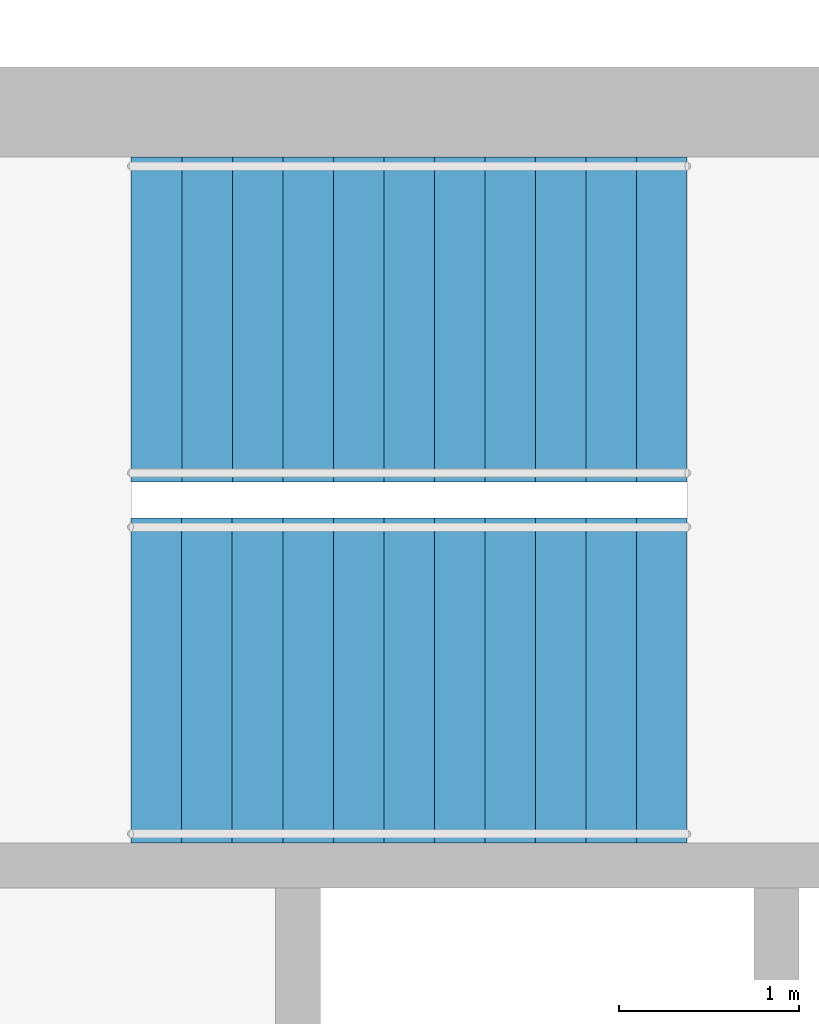
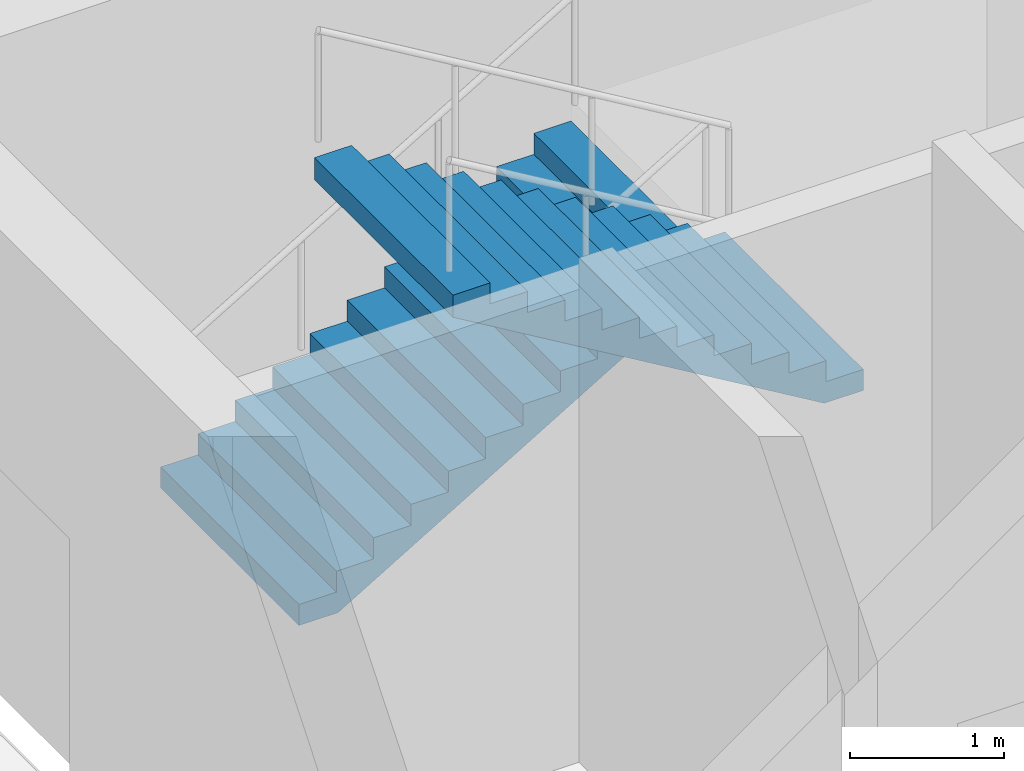
# One storey, part 8 of 11: 2 stair flights, 1 element without a shape of its own.
"""IFC4 building model written with IfcOpenShell, lengths in metres."""

from ifc_helpers import new_model, si_unit, direction, frame, origin, place, context, subcontext, project, spatial, polyline, outline, extrude, material, type_object, element, aggregate, save


model = new_model("IFC4")

# Units and contexts
model_context = context("Model", 3, precision=1e-05, world=origin(), true_north=direction((0.0, 1.0)))
body_context = subcontext(model_context, "Body", "Model", "MODEL_VIEW")
ifc_project = project(units=[si_unit("LENGTHUNIT", "METRE"), si_unit("AREAUNIT", "SQUARE_METRE"), si_unit("VOLUMEUNIT", "CUBIC_METRE"), si_unit("PLANEANGLEUNIT", "RADIAN"), si_unit("MASSUNIT", "GRAM", prefix="KILO")], contexts=[model_context])

# Site, building, storey
site_placement = place(None, origin())
site = spatial("IfcSite", under=ifc_project, at=site_placement, CompositionType="ELEMENT")
building_placement = place(site_placement, origin())
building = spatial("IfcBuilding", under=site, at=building_placement, Name="Corbel Yard City Hall", CompositionType="ELEMENT")
storey_placement = place(building_placement, frame((0.0, 0.0, 35.199951171875)))
storey = spatial("IfcBuildingStorey", under=building, at=storey_placement, Name="L08", CompositionType="ELEMENT", Elevation=35.199951171875)

# Stair, stair flights
ifc_material = material(Name="Concrete N40 (40 MPa)", Category="concrete")
stair_type = type_object("IfcStairType", Name="ST4", PredefinedType="HALF_TURN_STAIR", material=ifc_material)
stair_placement = place(storey_placement, origin())
stair = element("IfcStair", 1, at=stair_placement, inside=storey, type_object=stair_type, Name="Exit stair ST-E2 L08", PredefinedType="HALF_TURN_STAIR")
stair_flight_type = type_object("IfcStairFlightType", Name="FL4", PredefinedType="STRAIGHT", material=ifc_material)
stair_flight_1_placement = place(storey_placement, frame((47.300048828125, 115.60009765625, 0.0), z_axis=(0.0, 0.0, 1.0), x_axis=(1.0, 0.0, 0.0)))
stair_flight_1 = element("IfcStairFlight", 2, at=stair_flight_1_placement, type_object=stair_flight_type, Name="ST-E2 flight 1", NumberOfRisers=12, NumberOfTreads=11, PredefinedType="STRAIGHT", RiserHeight=0.166667, TreadLength=0.28, context=body_context, shape_type="SweptSolid", body=[
    extrude(outline(polyline([(0.0, 0.0), (0.0, 0.166748046875), (0.280029296875, 0.166748046875), (0.280029296875, 0.333251953125), (0.56005859375, 0.333251953125), (0.56005859375, 0.5), (0.840087890625, 0.5), (0.840087890625, 0.666748046875), (1.1201171875, 0.666748046875), (1.1201171875, 0.833251953125), (1.39990234375, 0.833251953125), (1.39990234375, 1.0), (1.679931640625, 1.0), (1.679931640625, 1.166748046875), (1.9599609375, 1.166748046875), (1.9599609375, 1.333251953125), (2.239990234375, 1.333251953125), (2.239990234375, 1.5), (2.52001953125, 1.5), (2.52001953125, 1.666748046875), (2.800048828125, 1.666748046875), (2.800048828125, 1.833251953125), (3.080078125, 1.833251953125), (3.080078125, 2.0), (3.080078125, 1.658935546875), (0.29296875, 0.0), (0.0, 0.0)])), frame((0.0, 0.89990234375, 0.0), z_axis=(0.0, -1.0, 0.0), x_axis=(1.0, 0.0, 0.0)), (0.0, 0.0, 1.0), 1.800048828125),
])
stair_flight_2_placement = place(storey_placement, frame((50.3798828125, 113.60009765625, 2.0), z_axis=(0.0, 0.0, 1.0), x_axis=(-1.0, 0.0, 0.0)))
stair_flight_2 = element("IfcStairFlight", 3, at=stair_flight_2_placement, type_object=stair_flight_type, Name="ST-E2 flight 2", NumberOfRisers=12, NumberOfTreads=11, PredefinedType="STRAIGHT", RiserHeight=0.166667, TreadLength=0.28, context=body_context, shape_type="SweptSolid", body=[
    extrude(outline(polyline([(0.0, 0.0), (0.0, 0.166748046875), (0.280029296875, 0.166748046875), (0.280029296875, 0.333251953125), (0.56005859375, 0.333251953125), (0.56005859375, 0.5), (0.840087890625, 0.5), (0.840087890625, 0.666748046875), (1.1201171875, 0.666748046875), (1.1201171875, 0.833251953125), (1.39990234375, 0.833251953125), (1.39990234375, 1.0), (1.679931640625, 1.0), (1.679931640625, 1.166748046875), (1.9599609375, 1.166748046875), (1.9599609375, 1.333251953125), (2.239990234375, 1.333251953125), (2.239990234375, 1.5), (2.52001953125, 1.5), (2.52001953125, 1.666748046875), (2.800048828125, 1.666748046875), (2.800048828125, 1.833251953125), (3.080078125, 1.833251953125), (3.080078125, 2.0), (3.080078125, 1.658935546875), (0.29296875, 0.0), (0.0, 0.0)])), frame((0.0, 0.89990234375, 0.0), z_axis=(0.0, -1.0, 0.0), x_axis=(1.0, 0.0, 0.0)), (0.0, 0.0, 1.0), 1.800048828125),
])
aggregate(stair, [stair_flight_1, stair_flight_2])

save(model, "model.ifc")
